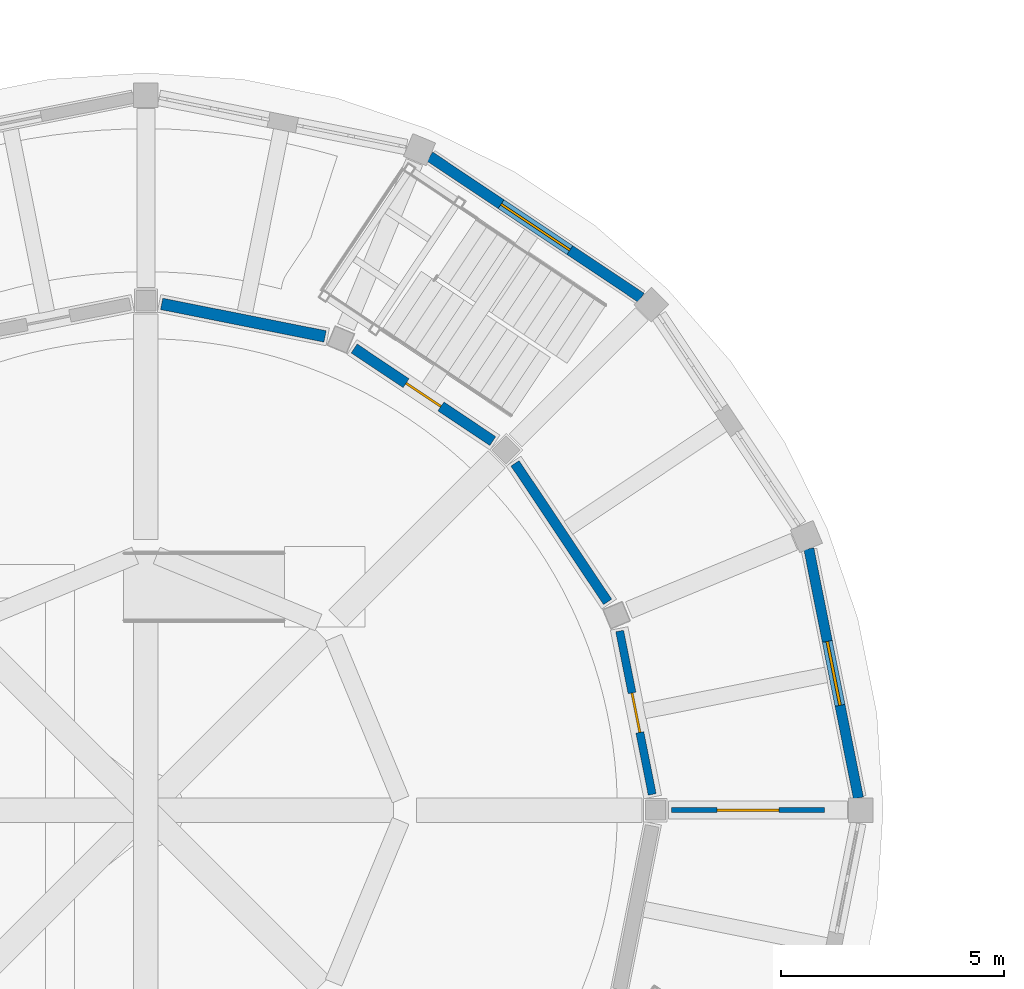
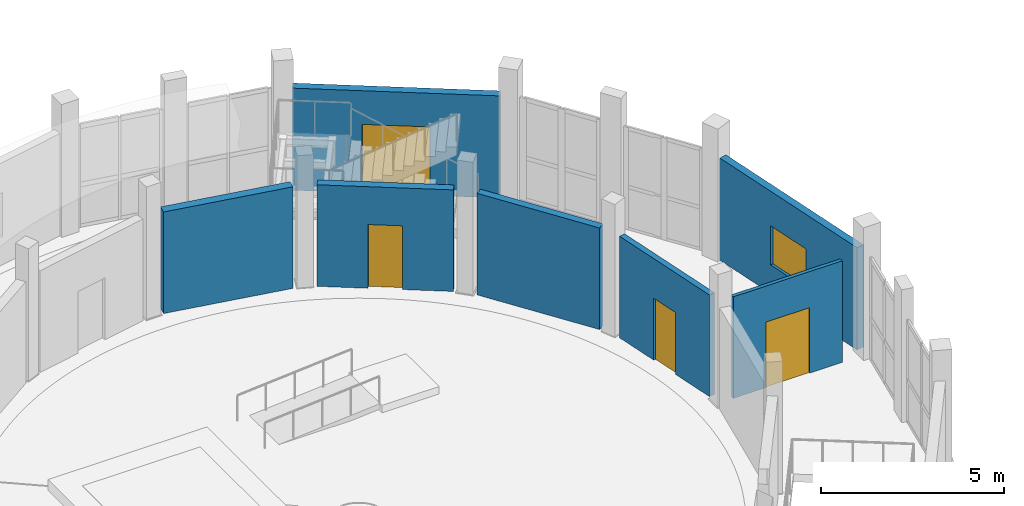
# One storey, part 72 of 92: 7 walls, 4 doors, 1 window, 5 openings.
"""IFC4 building model written with IfcOpenShell, lengths in metres."""

from ifc_helpers import new_model, si_unit, direction, frame, frame_2d, origin, place, context, subcontext, project, spatial, rectangle, extrude, material, layer, layer_set, type_object, element, fill, save


model = new_model("IFC4")

# Units and contexts
model_context = context("Model", 3, precision=1e-05, world=origin(), true_north=direction((0.0, 1.0)))
body_context = subcontext(model_context, "Body", "Model", "MODEL_VIEW")
ifc_project = project(units=[si_unit("LENGTHUNIT", "METRE"), si_unit("AREAUNIT", "SQUARE_METRE"), si_unit("VOLUMEUNIT", "CUBIC_METRE"), si_unit("PLANEANGLEUNIT", "RADIAN"), si_unit("MASSUNIT", "GRAM", prefix="KILO")], contexts=[model_context])

# Site, building, storey
site_placement = place(None, origin())
site = spatial("IfcSite", under=ifc_project, at=site_placement, CompositionType="ELEMENT")
building_placement = place(site_placement, origin())
building = spatial("IfcBuilding", under=site, at=building_placement, Name="Caldaven Crescent School", CompositionType="ELEMENT")
storey_placement = place(building_placement, origin())
storey = spatial("IfcBuildingStorey", under=building, at=storey_placement, Name="L00", CompositionType="ELEMENT", Elevation=0.0)

# Wall, opening, window
ifc_material_1 = material(Name="Precast concrete C35/45", Category="concrete")
ifc_layer_1 = layer(ifc_material_1, 0.22802734375)
ifc_layer_set_1 = layer_set([ifc_layer_1], Name="Precast concrete C35/45")
wall_type_1 = type_object("IfcWallType", Name="WAL-EW04", PredefinedType="STANDARD", material=ifc_layer_set_1)
wall_1_placement = place(storey_placement, frame((39.44580078125, 98.772705078125, 0.0), z_axis=(0.0, 0.0, 1.0), x_axis=(-0.195075787902, 0.980788171306, 0.0)))
wall_1 = element("IfcWall", 1, at=wall_1_placement, inside=storey, type_object=wall_type_1, Name="EW-L00-017", PredefinedType="STANDARD", context=body_context, shape_type="SweptSolid", body=[
    extrude(rectangle(XDim=5.68701171875, YDim=0.22802734375, at=frame_2d((2.843505859375, 0.0))), origin(), (0.0, 0.0, 1.0), 3.39990234375),
])
opening_1_placement = place(wall_1_placement, frame((2.11328125, 0.0, 0.949951171875)))
opening_1 = element("IfcOpeningElement", 2, at=opening_1_placement, cuts=wall_1, Name="Opening W14", PredefinedType="OPENING", context=body_context, shape_type="SweptSolid", body=[
    extrude(rectangle(XDim=1.4599609375, YDim=1.300048828125, at=frame_2d((0.72998046875, 0.64990234375))), frame((0.0, 0.1240234375, 0.0), z_axis=(0.0, -1.0, 0.0), x_axis=(1.0, 0.0, 0.0)), (0.0, 0.0, 1.0), 0.248046875),
])
ifc_material_2 = material(Name="Thermally broken anodised aluminium AA 6063-T6 and low-E double glazing", Category="aluminium")
window_type = type_object("IfcWindowType", Name="WIN-W14", PartitioningType="SINGLE_PANEL", PredefinedType="WINDOW", material=ifc_material_2)
window_placement = place(opening_1_placement, origin())
window = element("IfcWindow", 3, at=window_placement, inside=storey, type_object=window_type, Name="WIN-L00-013-1", OverallHeight=1.300048828125, OverallWidth=1.4599609375, PartitioningType="SINGLE_PANEL", PredefinedType="WINDOW", context=body_context, shape_type="SweptSolid", body=[
    extrude(rectangle(XDim=1.4599609375, YDim=1.300048828125, at=frame_2d((0.72998046875, 0.64990234375))), frame((0.0, 0.030029296875, 0.0), z_axis=(0.0, -1.0, 0.0), x_axis=(1.0, 0.0, 0.0)), (0.0, 0.0, 1.0), 0.06005859375),
])
fill(opening_1, window)

# Wall, opening, door
ifc_layer_2 = layer(ifc_material_1, 0.239990234375)
ifc_layer_set_2 = layer_set([ifc_layer_2], Name="Precast concrete C35/45")
wall_type_2 = type_object("IfcWallType", Name="WAL-EW05", PredefinedType="STANDARD", material=ifc_layer_set_2)
wall_2_placement = place(storey_placement, frame((34.58251953125, 109.96826171875, 0.0), z_axis=(0.0, 0.0, 1.0), x_axis=(-0.831475241541, 0.555561808177, 0.0)))
wall_2 = element("IfcWall", 4, at=wall_2_placement, inside=storey, type_object=wall_type_2, Name="EW-L00-018", PredefinedType="STANDARD", context=body_context, shape_type="SweptSolid", body=[
    extrude(rectangle(XDim=5.68701171875, YDim=0.239990234375, at=frame_2d((2.843505859375, 0.0))), origin(), (0.0, 0.0, 1.0), 3.39990234375),
])
opening_2_placement = place(wall_2_placement, frame((1.91845703125, 0.0, 0.0)))
opening_2 = element("IfcOpeningElement", 5, at=opening_2_placement, cuts=wall_2, Name="Opening D-L00-E005", PredefinedType="OPENING", context=body_context, shape_type="SweptSolid", body=[
    extrude(rectangle(XDim=1.85009765625, YDim=2.280029296875, at=frame_2d((0.925048828125, 1.14013671875))), frame((0.0, 0.1298828125, 0.0), z_axis=(0.0, -1.0, 0.0), x_axis=(1.0, 0.0, 0.0)), (0.0, 0.0, 1.0), 0.260009765625),
])
ifc_material_3 = material(Name="Thermally broken bronze-anodised aluminium and laminated safety glass", Category="aluminium")
door_type_1 = type_object("IfcDoorType", Name="DOR-EX11", OperationType="NOTDEFINED", PredefinedType="DOOR", material=ifc_material_3)
door_1_placement = place(opening_2_placement, frame((1.85009765625, 0.0, 0.0), z_axis=(0.0, 0.0, 1.0), x_axis=(-1.0, 0.0, 0.0)))
door_1 = element("IfcDoor", 6, at=door_1_placement, inside=storey, type_object=door_type_1, Name="DOR-EXT-L00-005", OperationType="DOUBLE_DOOR_SINGLE_SWING", OverallHeight=2.280029296875, OverallWidth=1.85009765625, PredefinedType="DOOR", context=body_context, shape_type="SweptSolid", body=[
    extrude(rectangle(XDim=1.85009765625, YDim=2.280029296875, at=frame_2d((0.925048828125, 1.14013671875))), frame((0.0, 0.02490234375, 0.0), z_axis=(0.0, -1.0, 0.0), x_axis=(1.0, 0.0, 0.0)), (0.0, 0.0, 1.0), 0.050048828125),
])
fill(opening_2, door_1)

ifc_material_4 = material(Name="Acoustic timber-stud and fire-rated gypsum board assembly", Category="wood")
ifc_layer_3 = layer(ifc_material_4, 0.179931640625)
ifc_layer_set_3 = layer_set([ifc_layer_3], Name="Acoustic timber-stud and fire-rated gypsum board assembly")
wall_type_3 = type_object("IfcWallType", Name="WAL-IW03", PredefinedType="STANDARD", material=ifc_layer_set_3)
wall_3_placement = place(storey_placement, frame((34.829833984375, 98.85302734375, 0.0), z_axis=(0.0, 0.0, 1.0), x_axis=(-0.195083359546, 0.980786665299, 0.0)))
wall_3 = element("IfcWall", 7, at=wall_3_placement, inside=storey, type_object=wall_type_3, Name="IW-L00-0034", PredefinedType="STANDARD", context=body_context, shape_type="SweptSolid", body=[
    extrude(rectangle(XDim=3.72802734375, YDim=0.179931640625, at=frame_2d((1.864013671875, 0.0))), origin(), (0.0, 0.0, 1.0), 3.3798828125),
])
opening_3_placement = place(wall_3_placement, frame((1.4140625, 0.0, 0.0)))
opening_3 = element("IfcOpeningElement", 8, at=opening_3_placement, cuts=wall_3, Name="Opening D-L00-I024", PredefinedType="OPENING", context=body_context, shape_type="SweptSolid", body=[
    extrude(rectangle(XDim=0.89990234375, YDim=2.06005859375, at=frame_2d((0.449951171875, 1.030029296875))), frame((0.0, 0.099853515625, 0.0), z_axis=(0.0, -1.0, 0.0), x_axis=(1.0, 0.0, 0.0)), (0.0, 0.0, 1.0), 0.199951171875),
])
ifc_material_5 = material(Name="Solid-core Pino Radiata acoustic timber leaf in steel frame", Category="steel")
door_type_2 = type_object("IfcDoorType", Name="DOR-ID05", OperationType="NOTDEFINED", PredefinedType="DOOR", material=ifc_material_5)
door_2_placement = place(opening_3_placement, frame((0.89990234375, 0.0, 0.0), z_axis=(0.0, 0.0, 1.0), x_axis=(-1.0, 0.0, 0.0)))
door_2 = element("IfcDoor", 9, at=door_2_placement, inside=storey, type_object=door_type_2, Name="DOR-INT-L00-0024", OperationType="SINGLE_SWING_LEFT", OverallHeight=2.06005859375, OverallWidth=0.89990234375, PredefinedType="DOOR", context=body_context, shape_type="SweptSolid", body=[
    extrude(rectangle(XDim=0.89990234375, YDim=2.06005859375, at=frame_2d((0.449951171875, 1.030029296875))), frame((0.0, 0.02490234375, 0.0), z_axis=(0.0, -1.0, 0.0), x_axis=(1.0, 0.0, 0.0)), (0.0, 0.0, 1.0), 0.050048828125),
])
fill(opening_3, door_2)

# Wall
ifc_layer_4 = layer(ifc_material_4, 0.219970703125)
ifc_layer_set_4 = layer_set([ifc_layer_4], Name="Acoustic timber-stud and fire-rated gypsum board assembly")
wall_type_4 = type_object("IfcWallType", Name="WAL-IW07", PredefinedType="STANDARD", material=ifc_layer_set_4)
wall_4_placement = place(storey_placement, frame((33.832275390625, 103.161865234375, 0.0), z_axis=(0.0, 0.0, 1.0), x_axis=(-0.555576382584, 0.831465503262, 0.0)))
element("IfcWall", 10, at=wall_4_placement, inside=storey, type_object=wall_type_4, Name="IW-L00-0038", PredefinedType="STANDARD", context=body_context, shape_type="SweptSolid", body=[
    extrude(rectangle(XDim=3.728271484375, YDim=0.219970703125, at=frame_2d((1.8642578125, 0.0))), origin(), (0.0, 0.0, 1.0), 3.3798828125),
])

# Wall, opening, door
ifc_layer_5 = layer(ifc_material_4, 0.239990234375)
ifc_layer_set_5 = layer_set([ifc_layer_5], Name="Acoustic timber-stud and fire-rated gypsum board assembly")
wall_type_5 = type_object("IfcWallType", Name="WAL-IW09", PredefinedType="STANDARD", material=ifc_layer_set_5)
wall_5_placement = place(storey_placement, frame((31.26171875, 106.760986328125, 0.0), z_axis=(0.0, 0.0, 1.0), x_axis=(-0.831465503262, 0.555576382584, 0.0)))
wall_5 = element("IfcWall", 11, at=wall_5_placement, inside=storey, type_object=wall_type_5, Name="IW-L00-0040", PredefinedType="STANDARD", context=body_context, shape_type="SweptSolid", body=[
    extrude(rectangle(XDim=3.728271484375, YDim=0.239990234375, at=frame_2d((1.8642578125, 0.0))), origin(), (0.0, 0.0, 1.0), 3.3798828125),
])
opening_4_placement = place(wall_5_placement, frame((1.39404296875, 0.0, 0.0)))
opening_4 = element("IfcOpeningElement", 12, at=opening_4_placement, cuts=wall_5, Name="Opening D-L00-I029", PredefinedType="OPENING", context=body_context, shape_type="SweptSolid", body=[
    extrude(rectangle(XDim=0.93994140625, YDim=2.1201171875, at=frame_2d((0.469970703125, 1.06005859375))), frame((0.0, 0.1298828125, 0.0), z_axis=(0.0, -1.0, 0.0), x_axis=(1.0, 0.0, 0.0)), (0.0, 0.0, 1.0), 0.260009765625),
])
door_type_3 = type_object("IfcDoorType", Name="DOR-ID10", OperationType="NOTDEFINED", PredefinedType="DOOR", material=ifc_material_5)
door_3_placement = place(opening_4_placement, frame((0.93994140625, 0.0, 0.0), z_axis=(0.0, 0.0, 1.0), x_axis=(-1.0, 0.0, 0.0)))
door_3 = element("IfcDoor", 13, at=door_3_placement, inside=storey, type_object=door_type_3, Name="DOR-INT-L00-0029", OperationType="SINGLE_SWING_RIGHT", OverallHeight=2.1201171875, OverallWidth=0.93994140625, PredefinedType="DOOR", context=body_context, shape_type="SweptSolid", body=[
    extrude(rectangle(XDim=0.93994140625, YDim=2.1201171875, at=frame_2d((0.469970703125, 1.06005859375))), frame((0.0, 0.02490234375, 0.0), z_axis=(0.0, -1.0, 0.0), x_axis=(1.0, 0.0, 0.0)), (0.0, 0.0, 1.0), 0.050048828125),
])
fill(opening_4, door_3)

# Wall
ifc_layer_6 = layer(ifc_material_4, 0.260009765625)
ifc_layer_set_6 = layer_set([ifc_layer_6], Name="Acoustic timber-stud and fire-rated gypsum board assembly")
wall_type_6 = type_object("IfcWallType", Name="WAL-IW11", PredefinedType="STANDARD", material=ifc_layer_set_6)
wall_6_placement = place(storey_placement, frame((27.509521484375, 109.1025390625, 0.0), z_axis=(0.0, 0.0, 1.0), x_axis=(-0.980786665299, 0.195083359546, 0.0)))
element("IfcWall", 14, at=wall_6_placement, inside=storey, type_object=wall_type_6, Name="IW-L00-0042", PredefinedType="STANDARD", context=body_context, shape_type="SweptSolid", body=[
    extrude(rectangle(XDim=3.72802734375, YDim=0.260009765625, at=frame_2d((1.864013671875, 0.0))), origin(), (0.0, 0.0, 1.0), 3.3798828125),
])

# Wall, opening, door
ifc_material_6 = material(Name="Acoustic double-layer gypsum partition on galvanised steel studs", Category="steel")
ifc_layer_7 = layer(ifc_material_6, 0.110107421875)
ifc_layer_set_7 = layer_set([ifc_layer_7], Name="Acoustic double-layer gypsum partition on galvanised steel studs")
wall_type_7 = type_object("IfcWallType", Name="WAL-PT05", PredefinedType="PARTITIONING", material=ifc_layer_set_7)
wall_7_placement = place(storey_placement, frame((35.260009765625, 98.5, 0.0), z_axis=(0.0, 0.0, 1.0), x_axis=(1.0, 0.0, 0.0)))
wall_7 = element("IfcWall", 15, at=wall_7_placement, inside=storey, type_object=wall_type_7, Name="IW-L00-0036", PredefinedType="PARTITIONING", context=body_context, shape_type="SweptSolid", body=[
    extrude(rectangle(XDim=3.429931640625, YDim=0.110107421875, at=frame_2d((1.71484375, 0.0))), origin(), (0.0, 0.0, 1.0), 3.3798828125),
])
opening_5_placement = place(wall_7_placement, frame((1.02490234375, 0.0, 0.0)))
opening_5 = element("IfcOpeningElement", 16, at=opening_5_placement, cuts=wall_7, Name="Opening D-L00-I026", PredefinedType="OPENING", context=body_context, shape_type="SweptSolid", body=[
    extrude(rectangle(XDim=1.3798828125, YDim=2.179931640625, at=frame_2d((0.68994140625, 1.08984375))), frame((0.0, 0.06494140625, 0.0), z_axis=(0.0, -1.0, 0.0), x_axis=(1.0, 0.0, 0.0)), (0.0, 0.0, 1.0), 0.130126953125),
])
door_type_4 = type_object("IfcDoorType", Name="DOR-ID47", OperationType="NOTDEFINED", PredefinedType="DOOR", material=ifc_material_5)
door_4_placement = place(opening_5_placement, origin())
door_4 = element("IfcDoor", 17, at=door_4_placement, inside=storey, type_object=door_type_4, Name="DOR-INT-L00-0026", OperationType="SINGLE_SWING_LEFT", OverallHeight=2.179931640625, OverallWidth=1.3798828125, PredefinedType="DOOR", context=body_context, shape_type="SweptSolid", body=[
    extrude(rectangle(XDim=1.3798828125, YDim=2.179931640625, at=frame_2d((0.68994140625, 1.08984375))), frame((0.0, 0.02490234375, 0.0), z_axis=(0.0, -1.0, 0.0), x_axis=(1.0, 0.0, 0.0)), (0.0, 0.0, 1.0), 0.050048828125),
])
fill(opening_5, door_4)

save(model, "model.ifc")
